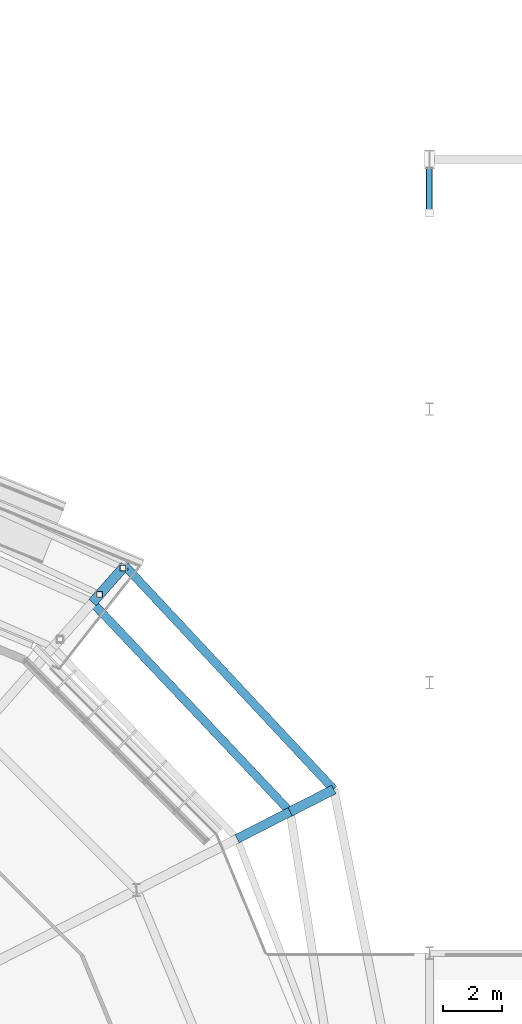
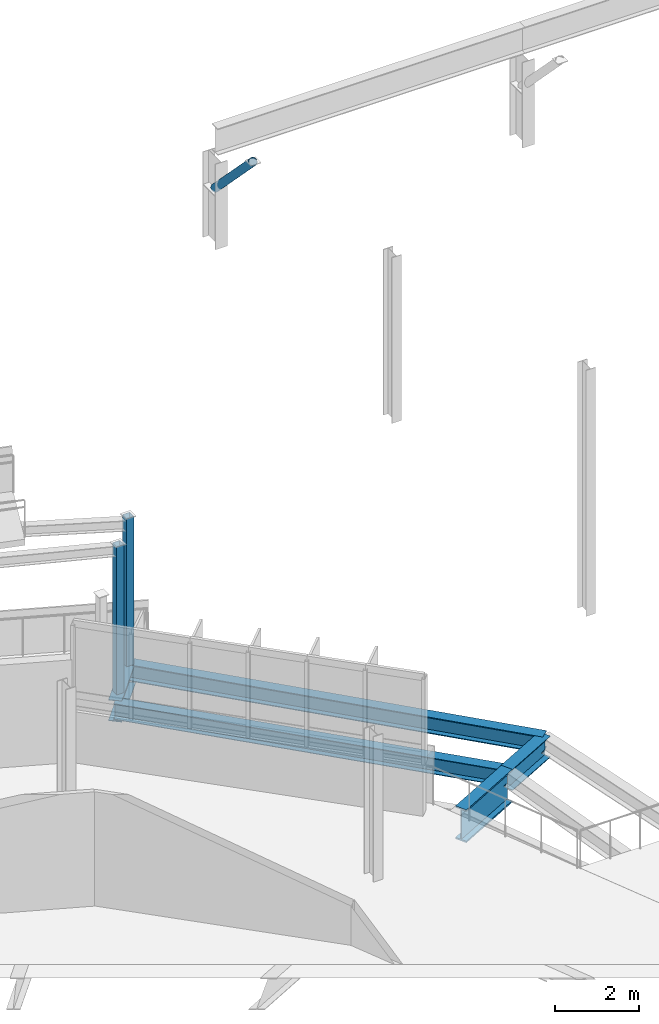
# One storey, part 50 of 107: 5 beams, 3 members.
"""IFC4 building model written with IfcOpenShell, lengths in metres."""

from ifc_helpers import new_model, si_unit, derived_unit, direction, frame, origin, origin_2d, place, context, subcontext, project, spatial, hollow_rectangle, hollow_circle, i_section, extrude, material, material_profile, profile_set, type_object, element, save


model = new_model("IFC4")

# Units and contexts
model_context = context("Model", 3, precision=1e-05, world=origin(), true_north=direction((0.0, 1.0)))
body_context = subcontext(model_context, "Body", "Model", "MODEL_VIEW")
ifc_project = project(units=[si_unit("LENGTHUNIT", "METRE"), si_unit("AREAUNIT", "SQUARE_METRE"), si_unit("VOLUMEUNIT", "CUBIC_METRE"), si_unit("PLANEANGLEUNIT", "RADIAN"), si_unit("MASSUNIT", "GRAM", prefix="KILO"), derived_unit("THERMALTRANSMITTANCEUNIT", [(si_unit("MASSUNIT", "GRAM", prefix="KILO"), 1), (si_unit("TIMEUNIT", "SECOND"), -3), (si_unit("THERMODYNAMICTEMPERATUREUNIT", "KELVIN"), -1)])], contexts=[model_context])

# Site, building, storey
site_placement = place(None, origin())
site = spatial("IfcSite", under=ifc_project, at=site_placement, CompositionType="ELEMENT")
building_placement = place(site_placement, origin())
building = spatial("IfcBuilding", under=site, at=building_placement, Name="Makaiwela Harbour Ferry Terminal", CompositionType="ELEMENT")
storey_placement = place(building_placement, frame((0.0, 0.0, 9.60009765625)))
storey = spatial("IfcBuildingStorey", under=building, at=storey_placement, Name="L02", CompositionType="ELEMENT", Elevation=9.60009765625)

# Beams
ifc_material_1 = material(Name="Steel ASTM A992 Grade 50", Category="steel")
ifc_material_profile_1 = material_profile(ifc_material_1, i_section(OverallWidth=0.280029296875, OverallDepth=0.462890625, WebThickness=0.0107421875, FlangeThickness=0.017333984375, at=origin_2d()), Name="W18X76")
ifc_profile_set_1 = profile_set([ifc_material_profile_1], Name="Steel ASTM A992 Grade 50")
beam_type_1 = type_object("IfcBeamType", Name="STR-BM-W18X76", PredefinedType="BEAM", material=ifc_profile_set_1)
beam_1_placement = place(storey_placement, frame((58.313720703125, 81.458740234375, -0.49169921875), z_axis=(-0.686996615629, 0.726660615497, 0.0), x_axis=(-0.726660615497, -0.686996615629, 0.0)))
element("IfcBeam", 1, at=beam_1_placement, inside=storey, type_object=beam_type_1, Name="Drum stage2 tie girder 201", PredefinedType="BEAM", context=body_context, shape_type="SweptSolid", body=[
    extrude(i_section(OverallWidth=0.280029296875, OverallDepth=0.462890625, WebThickness=0.0107421875, FlangeThickness=0.017333984375, at=origin_2d()), origin(), (0.0, 0.0, 1.0), 9.68212890625),
])
ifc_material_profile_2 = material_profile(ifc_material_1, i_section(OverallWidth=0.324951171875, OverallDepth=0.615966796875, WebThickness=0.013916015625, FlangeThickness=0.021484375, at=origin_2d()), Name="W24X117")
ifc_profile_set_2 = profile_set([ifc_material_profile_2], Name="Steel ASTM A992 Grade 50")
beam_type_2 = type_object("IfcBeamType", Name="STR-GRD-W24X117", PredefinedType="USERDEFINED", material=ifc_profile_set_2)
beam_2_placement = place(storey_placement, frame((58.313720703125, 81.458740234375, -0.568115234375), z_axis=(0.890787540779, 0.454420022879, 0.0), x_axis=(-0.454420022879, 0.890787540779, 0.0)))
element("IfcBeam", 2, at=beam_2_placement, inside=storey, type_object=beam_type_2, Name="Promenade terrace bracket 154", ObjectType="GIRDER", PredefinedType="USERDEFINED", context=body_context, shape_type="SweptSolid", body=[
    extrude(i_section(OverallWidth=0.324951171875, OverallDepth=0.615966796875, WebThickness=0.013916015625, FlangeThickness=0.021484375, at=origin_2d()), origin(), (0.0, 0.0, 1.0), 1.64990234375),
])
beam_3_placement = place(storey_placement, frame((51.662109375, 88.494384765625, -0.568115234375), z_axis=(0.662037440407, 0.749470764939, 0.0), x_axis=(-0.749470764939, 0.662037440407, 0.0)))
element("IfcBeam", 3, at=beam_3_placement, inside=storey, type_object=beam_type_2, Name="Promenade terrace bracket 158", ObjectType="GIRDER", PredefinedType="USERDEFINED", context=body_context, shape_type="SweptSolid", body=[
    extrude(i_section(OverallWidth=0.324951171875, OverallDepth=0.615966796875, WebThickness=0.013916015625, FlangeThickness=0.021484375, at=origin_2d()), origin(), (0.0, 0.0, 1.0), 1.650146484375),
])
ifc_material_profile_3 = material_profile(ifc_material_1, i_section(OverallWidth=0.31005859375, OverallDepth=0.949951171875, WebThickness=0.0244140625, FlangeThickness=0.0439453125, at=origin_2d()), Name="W36X256")
ifc_profile_set_3 = profile_set([ifc_material_profile_3], Name="Steel ASTM A992 Grade 50")
beam_type_3 = type_object("IfcBeamType", Name="STR-GRD-W36X256", PredefinedType="USERDEFINED", material=ifc_profile_set_3)
beam_4_placement = place(storey_placement, frame((56.5322265625, 80.549560546875, -0.735107421875), z_axis=(0.890710431999, 0.454571145507, 0.0), x_axis=(-0.454571145507, 0.890710431999, 0.0)))
element("IfcBeam", 4, at=beam_4_placement, inside=storey, type_object=beam_type_3, Name="Drum overhang radial girder 153", ObjectType="GIRDER", PredefinedType="USERDEFINED", context=body_context, shape_type="SweptSolid", body=[
    extrude(i_section(OverallWidth=0.31005859375, OverallDepth=0.949951171875, WebThickness=0.0244140625, FlangeThickness=0.0439453125, at=origin_2d()), origin(), (0.0, 0.0, 1.0), 2.0),
])

# Members
ifc_material_2 = material(Name="Steel ASTM A500 Grade C", Category="steel")
ifc_material_profile_4 = material_profile(ifc_material_2, hollow_rectangle(XDim=0.202880859375, YDim=0.202880859375, WallThickness=0.01171875, at=origin_2d()), Name="HSS8X8X1/2")
ifc_profile_set_4 = profile_set([ifc_material_profile_4], Name="Steel ASTM A500 Grade C")
member_type_1 = type_object("IfcMemberType", Name="STR-PST-HSS8", PredefinedType="POST", material=ifc_profile_set_4)
for number, where, z_axis, x_axis, name in (
    (5, (51.9033203125, 88.76708984375, -0.280029296875), (0.0, 0.0, 1.0), (1.0, 0.0, 0.0), "Exterior Ramp Support Post RP-0104"),
    (6, (52.6884765625, 89.656005859375, -0.280029296875), (0.0, 0.0, 1.0), (1.0, 0.0, 0.0), "Exterior Ramp Support Post RP-0106"),
):
    element("IfcMember", number, at=place(storey_placement, frame(where, z_axis=z_axis, x_axis=x_axis)), inside=storey, type_object=member_type_1, Name=name, PredefinedType="POST", context=body_context, shape_type="SweptSolid", body=[
        extrude(hollow_rectangle(XDim=0.202880859375, YDim=0.202880859375, WallThickness=0.01171875, at=origin_2d()), origin(), (0.0, 0.0, 1.0), 4.304931640625),
    ])

# Beam
ifc_material_profile_5 = material_profile(ifc_material_1, i_section(OverallWidth=0.283935546875, OverallDepth=0.47607421875, WebThickness=0.014892578125, FlangeThickness=0.02392578125, at=origin_2d()), Name="W18X106")
ifc_profile_set_5 = profile_set([ifc_material_profile_5], Name="Steel ASTM A992 Grade 50")
beam_type_4 = type_object("IfcBeamType", Name="STR-SPN-W18X106", PredefinedType="SPANDREL", material=ifc_profile_set_5)
beam_5_placement = place(storey_placement, frame((59.783447265625, 82.20849609375, -0.498046875), z_axis=(-0.682713564409, 0.730686108375, 0.0), x_axis=(-0.730686108375, -0.682713564409, 0.0)))
element("IfcBeam", 7, at=beam_5_placement, inside=storey, type_object=beam_type_4, Name="Drum perimeter spandrel 224", PredefinedType="SPANDREL", context=body_context, shape_type="SweptSolid", body=[
    extrude(i_section(OverallWidth=0.283935546875, OverallDepth=0.47607421875, WebThickness=0.014892578125, FlangeThickness=0.02392578125, at=origin_2d()), origin(), (0.0, 0.0, 1.0), 10.29541015625),
])

# Member
ifc_material_profile_6 = material_profile(ifc_material_2, hollow_circle(Radius=0.109619140625, WallThickness=0.00830078125, at=origin_2d()), Name="PIPE8STD")
ifc_profile_set_6 = profile_set([ifc_material_profile_6], Name="Steel ASTM A500 Grade C")
member_type_2 = type_object("IfcMemberType", Name="STR-STT-PIPE8", PredefinedType="STRUT", material=ifc_profile_set_6)
member_placement = place(storey_placement, frame((63.0, 103.39990234375, 1.5498046875), z_axis=(0.0, -0.697060839799, 0.717011984292), x_axis=(1.0, 0.0, 0.0)))
element("IfcMember", 8, at=member_placement, inside=storey, type_object=member_type_2, Name="Structural Member SR-02", PredefinedType="STRUT", context=body_context, shape_type="SweptSolid", body=[
    extrude(hollow_circle(Radius=0.109619140625, WallThickness=0.00830078125, at=origin_2d()), origin(), (0.0, 0.0, 1.0), 2.58203125),
])

save(model, "model.ifc")
